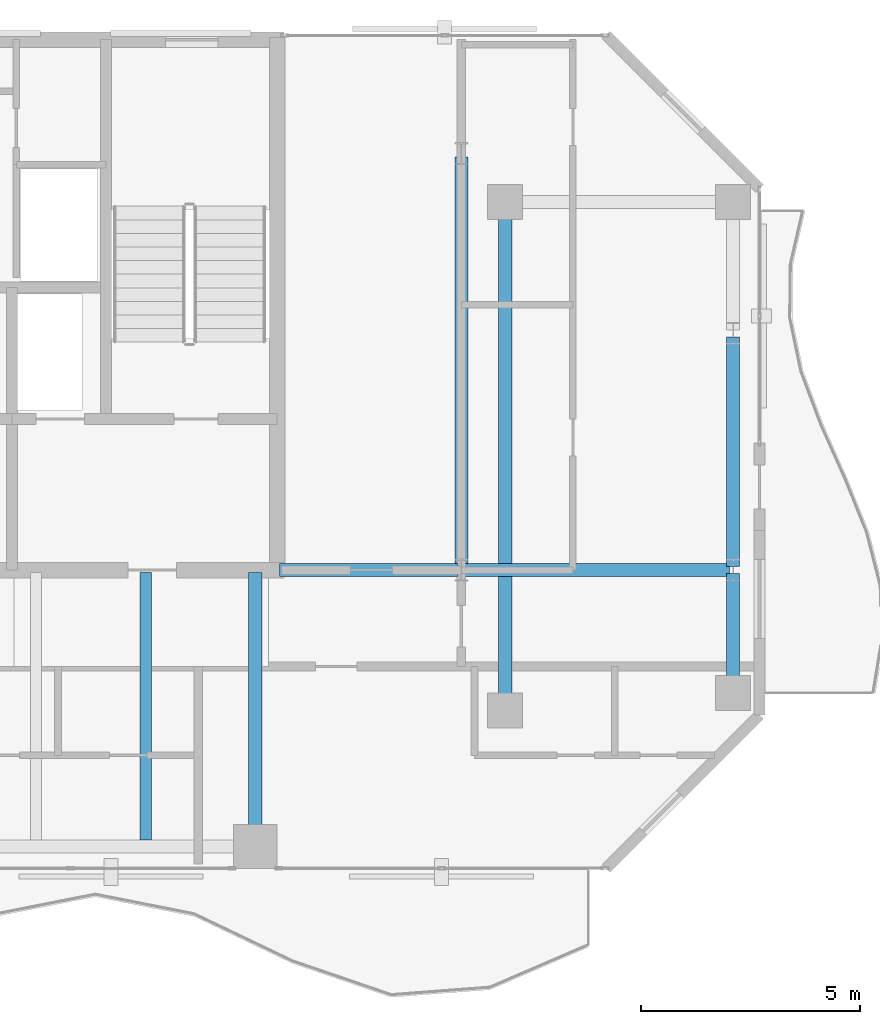
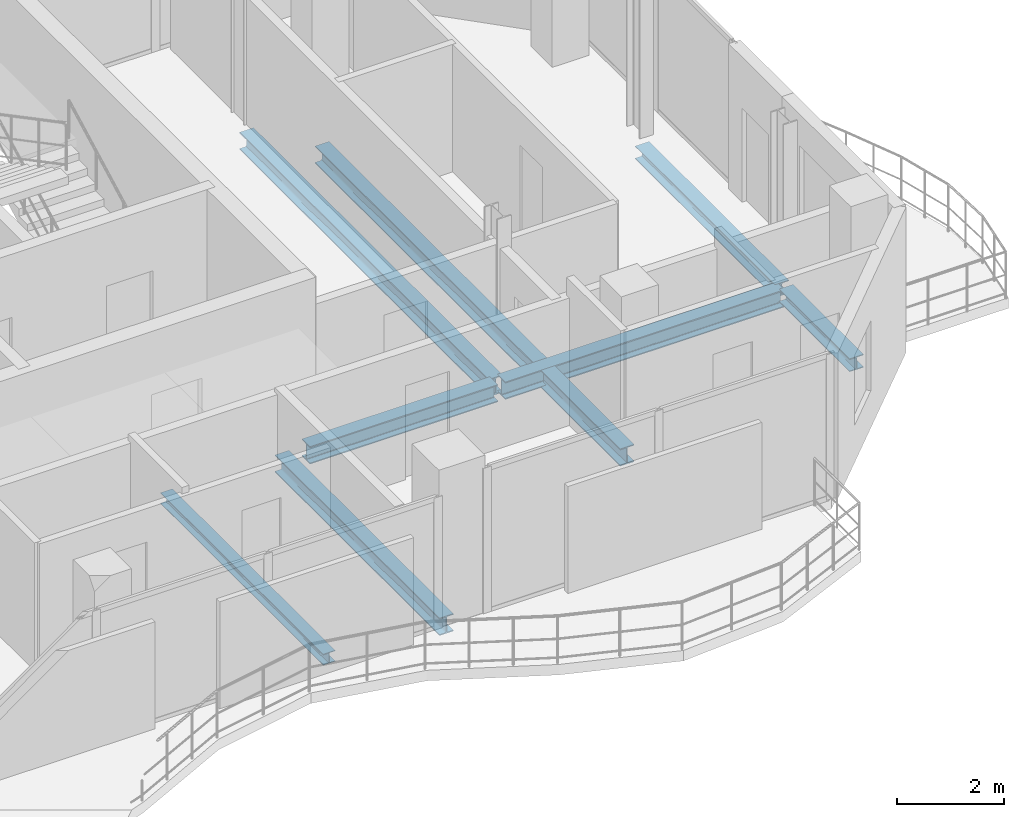
# One storey, part 13 of 23: 8 beams.
"""IFC4 building model written with IfcOpenShell, lengths in metres."""

from ifc_helpers import new_model, si_unit, direction, frame, origin, origin_2d, place, context, subcontext, project, spatial, i_section, extrude, material, material_profile, profile_set, type_object, element, save


model = new_model("IFC4")

# Units and contexts
model_context = context("Model", 3, precision=1e-05, world=origin(), true_north=direction((0.0, 1.0)))
body_context = subcontext(model_context, "Body", "Model", "MODEL_VIEW")
ifc_project = project(units=[si_unit("LENGTHUNIT", "METRE"), si_unit("AREAUNIT", "SQUARE_METRE"), si_unit("VOLUMEUNIT", "CUBIC_METRE"), si_unit("PLANEANGLEUNIT", "RADIAN"), si_unit("MASSUNIT", "GRAM", prefix="KILO")], contexts=[model_context])

# Site, building, storey
site_placement = place(None, origin())
site = spatial("IfcSite", under=ifc_project, at=site_placement, CompositionType="ELEMENT")
building_placement = place(site_placement, origin())
building = spatial("IfcBuilding", under=site, at=building_placement, Name="Catumbela Crestline Tower", CompositionType="ELEMENT")
storey_placement = place(building_placement, frame((0.0, 0.0, 190.2)))
storey = spatial("IfcBuildingStorey", under=building, at=storey_placement, Name="L49", CompositionType="ELEMENT", Elevation=190.2)

# Beams
ifc_material = material(Name="Structural steel S355J2", Category="steel")
ifc_material_profile_1 = material_profile(ifc_material, i_section(OverallWidth=0.3, OverallDepth=0.4, WebThickness=0.0135, FlangeThickness=0.024, FilletRadius=0.027, at=origin_2d()), Name="HEB 400")
ifc_profile_set_1 = profile_set([ifc_material_profile_1], Name="Structural steel S355J2")
beam_type_1 = type_object("IfcBeamType", Name="BG-HEB400", PredefinedType="BEAM", material=ifc_profile_set_1)
beam_1_placement = place(storey_placement, frame((40.05, 30.8, -0.46), z_axis=(1.0, 0.0, 0.0), x_axis=(0.0, 1.0, 0.0)))
element("IfcBeam", 1, at=beam_1_placement, inside=storey, type_object=beam_type_1, Name="L49 Beam BM-L49-M08", PredefinedType="BEAM", context=body_context, shape_type="SweptSolid", body=[
    extrude(i_section(OverallWidth=0.3, OverallDepth=0.4, WebThickness=0.0135, FlangeThickness=0.024, FilletRadius=0.027, at=origin_2d()), origin(), (0.0, 0.0, 1.0), 4.07),
])
beam_2_placement = place(storey_placement, frame((44.28, 30.8, -0.46), z_axis=(1.0, 0.0, 0.0), x_axis=(0.0, 1.0, 0.0)))
element("IfcBeam", 2, at=beam_2_placement, inside=storey, type_object=beam_type_1, Name="L49 Beam BM-L49-M09", PredefinedType="BEAM", context=body_context, shape_type="SweptSolid", body=[
    extrude(i_section(OverallWidth=0.3, OverallDepth=0.4, WebThickness=0.0135, FlangeThickness=0.024, FilletRadius=0.027, at=origin_2d()), origin(), (0.0, 0.0, 1.0), 6.04),
])
beam_3_placement = place(storey_placement, frame((39.5, 24.58, -0.46), z_axis=(0.0, 1.0, 0.0), x_axis=(-1.0, 0.0, 0.0)))
element("IfcBeam", 3, at=beam_3_placement, inside=storey, type_object=beam_type_1, Name="L49 Beam BM-L49-SNS20", PredefinedType="BEAM", context=body_context, shape_type="SweptSolid", body=[
    extrude(i_section(OverallWidth=0.3, OverallDepth=0.4, WebThickness=0.0135, FlangeThickness=0.024, FilletRadius=0.027, at=origin_2d()), origin(), (0.0, 0.0, 1.0), 6.17),
])
beam_4_placement = place(storey_placement, frame((44.2, 30.88, -0.46), z_axis=(0.0, 1.0, 0.0), x_axis=(-1.0, 0.0, 0.0)))
element("IfcBeam", 4, at=beam_4_placement, inside=storey, type_object=beam_type_1, Name="L49 Beam BM-L49-SN21", PredefinedType="BEAM", context=body_context, shape_type="SweptSolid", body=[
    extrude(i_section(OverallWidth=0.3, OverallDepth=0.4, WebThickness=0.0135, FlangeThickness=0.024, FilletRadius=0.027, at=origin_2d()), origin(), (0.0, 0.0, 1.0), 9.34),
])
beam_5_placement = place(storey_placement, frame((45.2, 27.68, -0.46), z_axis=(0.0, 1.0, 0.0), x_axis=(-1.0, 0.0, 0.0)))
element("IfcBeam", 5, at=beam_5_placement, inside=storey, type_object=beam_type_1, Name="L49 Beam BM-L49-SN22", PredefinedType="BEAM", context=body_context, shape_type="SweptSolid", body=[
    extrude(i_section(OverallWidth=0.3, OverallDepth=0.4, WebThickness=0.0135, FlangeThickness=0.024, FilletRadius=0.027, at=origin_2d()), origin(), (0.0, 0.0, 1.0), 11.44),
])
ifc_material_profile_2 = material_profile(ifc_material, i_section(OverallWidth=0.26, OverallDepth=0.25, WebThickness=0.0075, FlangeThickness=0.0125, FilletRadius=0.024, at=origin_2d()), Name="HEA 260")
ifc_profile_set_2 = profile_set([ifc_material_profile_2], Name="Structural steel S355J2")
beam_type_2 = type_object("IfcBeamType", Name="BJ-HEA260", PredefinedType="JOIST", material=ifc_profile_set_2)
beam_6_placement = place(storey_placement, frame((37.0, 24.647, -0.385), z_axis=(0.0, 1.0, 0.0), x_axis=(-1.0, 0.0, 0.0)))
element("IfcBeam", 6, at=beam_6_placement, inside=storey, type_object=beam_type_2, Name="L49 Joist JS-L49-SP31", PredefinedType="JOIST", context=body_context, shape_type="SweptSolid", body=[
    extrude(i_section(OverallWidth=0.26, OverallDepth=0.25, WebThickness=0.0075, FlangeThickness=0.0125, FilletRadius=0.024, at=origin_2d()), origin(), (0.0, 0.0, 1.0), 6.103),
])
ifc_material_profile_3 = material_profile(ifc_material, i_section(OverallWidth=0.3, OverallDepth=0.3, WebThickness=0.011, FlangeThickness=0.019, FilletRadius=0.027, at=origin_2d()), Name="HEB 300")
ifc_profile_set_3 = profile_set([ifc_material_profile_3], Name="Structural steel S355J2")
beam_type_3 = type_object("IfcBeamType", Name="BS-HEB300", PredefinedType="SPANDREL", material=ifc_profile_set_3)
beam_7_placement = place(storey_placement, frame((50.4, 28.08, -0.41), z_axis=(0.0, 1.0, 0.0), x_axis=(-1.0, 0.0, 0.0)))
element("IfcBeam", 7, at=beam_7_placement, inside=storey, type_object=beam_type_3, Name="L49 Spandrel SP-L49-SN23", PredefinedType="SPANDREL", context=body_context, shape_type="SweptSolid", body=[
    extrude(i_section(OverallWidth=0.3, OverallDepth=0.3, WebThickness=0.011, FlangeThickness=0.019, FilletRadius=0.027, at=origin_2d()), origin(), (0.0, 0.0, 1.0), 2.64),
])
beam_8_placement = place(storey_placement, frame((50.4, 30.88, -0.41), z_axis=(0.0, 1.0, 0.0), x_axis=(-1.0, 0.0, 0.0)))
element("IfcBeam", 8, at=beam_8_placement, inside=storey, type_object=beam_type_3, Name="L49 Spandrel SP-L49-SN24", PredefinedType="SPANDREL", context=body_context, shape_type="SweptSolid", body=[
    extrude(i_section(OverallWidth=0.3, OverallDepth=0.3, WebThickness=0.011, FlangeThickness=0.019, FilletRadius=0.027, at=origin_2d()), origin(), (0.0, 0.0, 1.0), 5.24),
])

save(model, "model.ifc")
